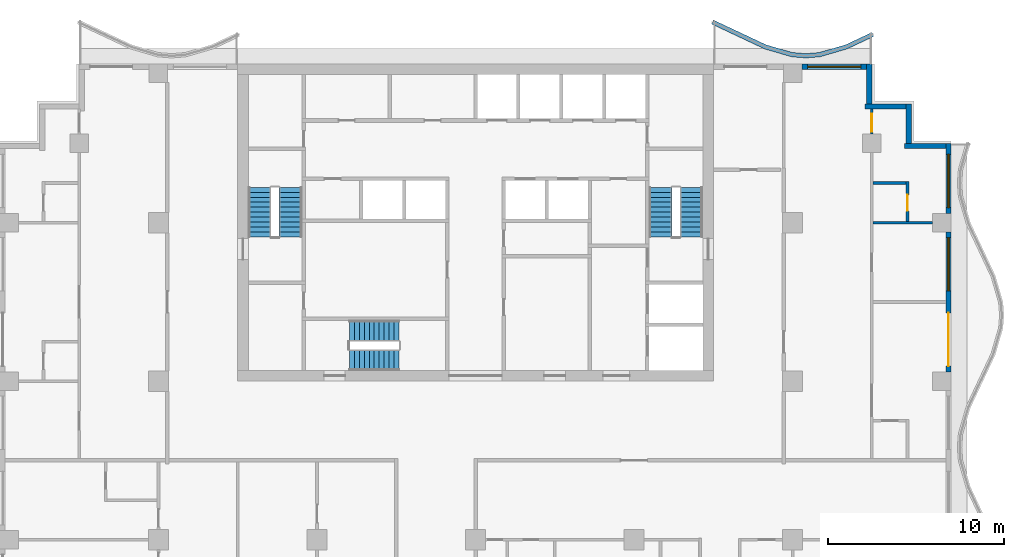
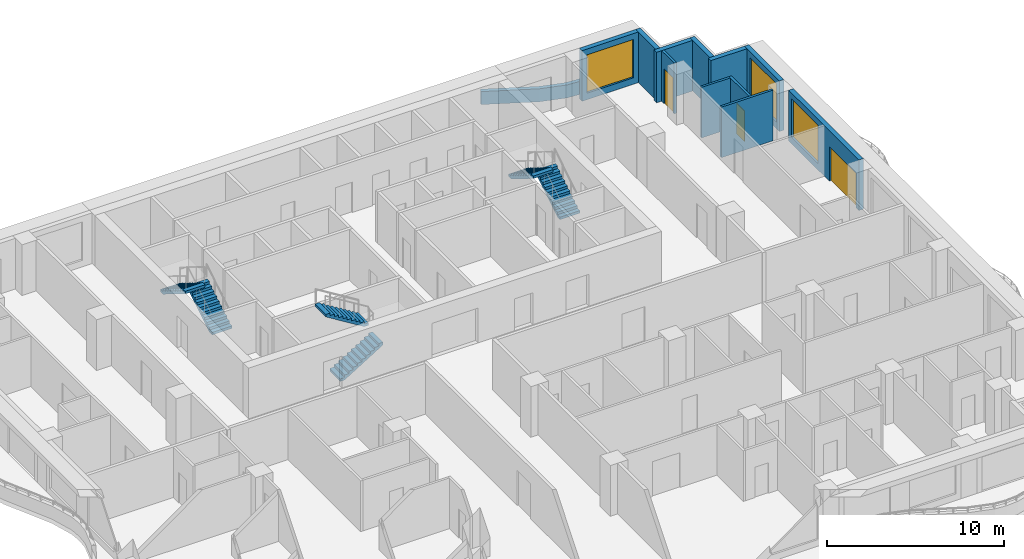
# One storey, part 7 of 11: 12 walls, 6 stair flights, 3 doors, 3 windows, 6 openings, 3 elements without a shape of their own.
"""IFC4 building model written with IfcOpenShell, lengths in metres."""

from ifc_helpers import new_model, si_unit, direction, frame, frame_2d, origin, place, context, subcontext, project, spatial, polyline, rectangle, outline, extrude, material, layer, layer_set, type_object, element, fill, aggregate, save


model = new_model("IFC4")

# Units and contexts
model_context = context("Model", 3, precision=1e-05, world=origin(), true_north=direction((0.0, 1.0)))
body_context = subcontext(model_context, "Body", "Model", "MODEL_VIEW")
ifc_project = project(units=[si_unit("LENGTHUNIT", "METRE"), si_unit("AREAUNIT", "SQUARE_METRE"), si_unit("VOLUMEUNIT", "CUBIC_METRE"), si_unit("PLANEANGLEUNIT", "RADIAN"), si_unit("MASSUNIT", "GRAM", prefix="KILO")], contexts=[model_context])

# Site, building, storey
site_placement = place(None, origin())
site = spatial("IfcSite", under=ifc_project, at=site_placement, CompositionType="ELEMENT")
building_placement = place(site_placement, origin())
building = spatial("IfcBuilding", under=site, at=building_placement, Name="Orbiselva Terraces", CompositionType="ELEMENT")
storey_placement = place(building_placement, frame((0.0, 0.0, 195.8)))
storey = spatial("IfcBuildingStorey", under=building, at=storey_placement, Name="L49", CompositionType="ELEMENT", Elevation=195.8)

# Wall
ifc_material_1 = material(Name="Concrete C40/50", Category="concrete")
ifc_layer_1 = layer(ifc_material_1, 0.25)
ifc_layer_set_1 = layer_set([ifc_layer_1], Name="Concrete C40/50")
wall_type_1 = type_object("IfcWallType", Name="ENV-PLANTER-250x900", PredefinedType="USERDEFINED", material=ifc_layer_set_1)
wall_1_placement = place(storey_placement, origin())
element("IfcWall", 1, at=wall_1_placement, inside=storey, type_object=wall_type_1, Name="Balcony planter L49 NE", ObjectType="PLANTER", PredefinedType="USERDEFINED", context=body_context, shape_type="SweptSolid", body=[
    extrude(outline(polyline([(22.5, 24.3), (21.0, 23.594658), (19.5, 23.158732), (18.75, 23.1), (18.0, 23.158732), (16.5, 23.594658), (15.0, 24.3), (13.5, 25.005342), (13.393617, 24.779106), (14.893617, 24.073764), (16.411382, 23.360069), (17.954886, 22.911499), (18.75, 22.849235), (19.545114, 22.911499), (21.088618, 23.360069), (22.606383, 24.073764), (22.5, 24.3)])), origin(), (0.0, 0.0, 1.0), 0.9),
])

# Wall, openings, door, window
ifc_material_2 = material(Name="Terracotta cladding on masonry backing", Category="masonry")
ifc_layer_2 = layer(ifc_material_2, 0.3)
ifc_layer_set_2 = layer_set([ifc_layer_2], Name="Terracotta cladding on masonry backing")
wall_type_2 = type_object("IfcWallType", Name="ENV-WALL-TERRACOTTA-300", PredefinedType="SOLIDWALL", material=ifc_layer_set_2)
wall_2_placement = place(storey_placement, frame((26.85, 12.975, 0.0), z_axis=(0.0, 0.0, 1.0), x_axis=(0.0, -1.0, 0.0)))
wall_2 = element("IfcWall", 2, at=wall_2_placement, inside=storey, type_object=wall_type_2, Name="Facade wall L49 E", PredefinedType="SOLIDWALL", context=body_context, shape_type="SweptSolid", body=[
    extrude(rectangle(XDim=7.95, YDim=0.3, at=frame_2d((3.975, 0.0))), origin(), (0.0, 0.0, 1.0), 3.5),
])
opening_1_placement = place(wall_2_placement, frame((4.6, 0.0, 0.0)))
opening_1 = element("IfcOpeningElement", 3, at=opening_1_placement, cuts=wall_2, Name="Opening Z4-B-E05", PredefinedType="OPENING", context=body_context, shape_type="SweptSolid", body=[
    extrude(rectangle(XDim=3.025, YDim=2.4, at=frame_2d((1.5125, 1.2))), frame((0.0, 0.16, 0.0), z_axis=(0.0, -1.0, 0.0), x_axis=(1.0, 0.0, 0.0)), (0.0, 0.0, 1.0), 0.32),
])
opening_2_placement = place(wall_2_placement, frame((0.325, 0.0, 0.45)))
opening_2 = element("IfcOpeningElement", 4, at=opening_2_placement, cuts=wall_2, Name="Opening WN14", PredefinedType="OPENING", context=body_context, shape_type="SweptSolid", body=[
    extrude(rectangle(XDim=3.025, YDim=2.65, at=frame_2d((1.5125, 1.325))), frame((0.0, 0.16, 0.0), z_axis=(0.0, -1.0, 0.0), x_axis=(1.0, 0.0, 0.0)), (0.0, 0.0, 1.0), 0.32),
])
ifc_material_3 = material(Name="Clear low-e glazing in aluminium frame", Category="aluminium")
door_type_1 = type_object("IfcDoorType", Name="BALCONY DOOR 3025 X 2400", OperationType="DOUBLE_DOOR_SLIDING", PredefinedType="DOOR", material=ifc_material_3)
door_1_placement = place(opening_1_placement, origin())
door_1 = element("IfcDoor", 5, at=door_1_placement, inside=storey, type_object=door_type_1, Name="Z4-B-E05", OperationType="SINGLE_SWING_LEFT", OverallHeight=2.4, OverallWidth=3.025, PredefinedType="DOOR", context=body_context, shape_type="SweptSolid", body=[
    extrude(rectangle(XDim=3.025, YDim=2.4, at=frame_2d((1.5125, 1.2))), frame((0.0, 0.025, 0.0), z_axis=(0.0, -1.0, 0.0), x_axis=(1.0, 0.0, 0.0)), (0.0, 0.0, 1.0), 0.05),
])
fill(opening_1, door_1)
window_type = type_object("IfcWindowType", Name="WINDOW 3025 X 2650 S450", PartitioningType="TRIPLE_PANEL_VERTICAL", PredefinedType="WINDOW", material=ifc_material_3)
window_1_placement = place(opening_2_placement, origin())
window_1 = element("IfcWindow", 6, at=window_1_placement, inside=storey, type_object=window_type, Name="Window L49 E", OverallHeight=2.65, OverallWidth=3.025, PartitioningType="SINGLE_PANEL", PredefinedType="WINDOW", context=body_context, shape_type="SweptSolid", body=[
    extrude(rectangle(XDim=3.025, YDim=2.65, at=frame_2d((1.5125, 1.325))), frame((0.0, 0.03, 0.0), z_axis=(0.0, -1.0, 0.0), x_axis=(1.0, 0.0, 0.0)), (0.0, 0.0, 1.0), 0.06),
])
fill(opening_2, window_1)

# Wall, opening, window
wall_3_placement = place(storey_placement, frame((26.85, 18.0, 0.0), z_axis=(0.0, 0.0, 1.0), x_axis=(0.0, -1.0, 0.0)))
wall_3 = element("IfcWall", 7, at=wall_3_placement, inside=storey, type_object=wall_type_2, Name="Facade wall L49 E", PredefinedType="SOLIDWALL", context=body_context, shape_type="SweptSolid", body=[
    extrude(rectangle(XDim=3.975, YDim=0.3, at=frame_2d((1.9875, 0.0))), origin(), (0.0, 0.0, 1.0), 3.5),
])
opening_3_placement = place(wall_3_placement, frame((0.625, 0.0, 0.45)))
opening_3 = element("IfcOpeningElement", 8, at=opening_3_placement, cuts=wall_3, Name="Opening WN14", PredefinedType="OPENING", context=body_context, shape_type="SweptSolid", body=[
    extrude(rectangle(XDim=3.025, YDim=2.65, at=frame_2d((1.5125, 1.325))), frame((0.0, 0.16, 0.0), z_axis=(0.0, -1.0, 0.0), x_axis=(1.0, 0.0, 0.0)), (0.0, 0.0, 1.0), 0.32),
])
window_2_placement = place(opening_3_placement, origin())
window_2 = element("IfcWindow", 9, at=window_2_placement, inside=storey, type_object=window_type, Name="Window L49 E", OverallHeight=2.65, OverallWidth=3.025, PartitioningType="SINGLE_PANEL", PredefinedType="WINDOW", context=body_context, shape_type="SweptSolid", body=[
    extrude(rectangle(XDim=3.025, YDim=2.65, at=frame_2d((1.5125, 1.325))), frame((0.0, 0.03, 0.0), z_axis=(0.0, -1.0, 0.0), x_axis=(1.0, 0.0, 0.0)), (0.0, 0.0, 1.0), 0.06),
])
fill(opening_3, window_2)

# Walls
wall_4_placement = place(storey_placement, frame((24.35, 17.85, 0.0), z_axis=(0.0, 0.0, 1.0), x_axis=(1.0, 0.0, 0.0)))
element("IfcWall", 10, at=wall_4_placement, inside=storey, type_object=wall_type_2, Name="Facade wall L49 STEP", PredefinedType="SOLIDWALL", context=body_context, shape_type="SweptSolid", body=[
    extrude(rectangle(XDim=2.35, YDim=0.3, at=frame_2d((1.175, 0.0))), origin(), (0.0, 0.0, 1.0), 3.5),
])
wall_5_placement = place(storey_placement, frame((24.6, 20.25, 0.0), z_axis=(0.0, 0.0, 1.0), x_axis=(0.0, -1.0, 0.0)))
element("IfcWall", 11, at=wall_5_placement, inside=storey, type_object=wall_type_2, Name="Facade wall L49 STEP", PredefinedType="SOLIDWALL", context=body_context, shape_type="SweptSolid", body=[
    extrude(rectangle(XDim=2.25, YDim=0.3, at=frame_2d((1.125, 0.0))), origin(), (0.0, 0.0, 1.0), 3.5),
])
wall_6_placement = place(storey_placement, frame((22.1, 20.1, 0.0), z_axis=(0.0, 0.0, 1.0), x_axis=(1.0, 0.0, 0.0)))
element("IfcWall", 12, at=wall_6_placement, inside=storey, type_object=wall_type_2, Name="Facade wall L49 STEP", PredefinedType="SOLIDWALL", context=body_context, shape_type="SweptSolid", body=[
    extrude(rectangle(XDim=2.35, YDim=0.3, at=frame_2d((1.175, 0.0))), origin(), (0.0, 0.0, 1.0), 3.5),
])
wall_7_placement = place(storey_placement, frame((22.35, 22.5, 0.0), z_axis=(0.0, 0.0, 1.0), x_axis=(0.0, -1.0, 0.0)))
element("IfcWall", 13, at=wall_7_placement, inside=storey, type_object=wall_type_2, Name="Facade wall L49 STEP", PredefinedType="SOLIDWALL", context=body_context, shape_type="SweptSolid", body=[
    extrude(rectangle(XDim=2.25, YDim=0.3, at=frame_2d((1.125, 0.0))), origin(), (0.0, 0.0, 1.0), 3.5),
])

# Wall, opening, window
wall_8_placement = place(storey_placement, frame((18.525, 22.35, 0.0), z_axis=(0.0, 0.0, 1.0), x_axis=(1.0, 0.0, 0.0)))
wall_8 = element("IfcWall", 14, at=wall_8_placement, inside=storey, type_object=wall_type_2, Name="Facade wall L49 NE", PredefinedType="SOLIDWALL", context=body_context, shape_type="SweptSolid", body=[
    extrude(rectangle(XDim=3.675, YDim=0.3, at=frame_2d((1.8375, 0.0))), origin(), (0.0, 0.0, 1.0), 3.5),
])
opening_4_placement = place(wall_8_placement, frame((0.325, 0.0, 0.45)))
opening_4 = element("IfcOpeningElement", 15, at=opening_4_placement, cuts=wall_8, Name="Opening WN14", PredefinedType="OPENING", context=body_context, shape_type="SweptSolid", body=[
    extrude(rectangle(XDim=3.025, YDim=2.65, at=frame_2d((1.5125, 1.325))), frame((0.0, 0.16, 0.0), z_axis=(0.0, -1.0, 0.0), x_axis=(1.0, 0.0, 0.0)), (0.0, 0.0, 1.0), 0.32),
])
window_3_placement = place(opening_4_placement, origin())
window_3 = element("IfcWindow", 16, at=window_3_placement, inside=storey, type_object=window_type, Name="Window L49 NE", OverallHeight=2.65, OverallWidth=3.025, PartitioningType="SINGLE_PANEL", PredefinedType="WINDOW", context=body_context, shape_type="SweptSolid", body=[
    extrude(rectangle(XDim=3.025, YDim=2.65, at=frame_2d((1.5125, 1.325))), frame((0.0, 0.03, 0.0), z_axis=(0.0, -1.0, 0.0), x_axis=(1.0, 0.0, 0.0)), (0.0, 0.0, 1.0), 0.06),
])
fill(opening_4, window_3)

# Walls
ifc_material_4 = material(Name="Plasterboard on steel stud partition", Category="steel")
ifc_layer_3 = layer(ifc_material_4, 0.15)
ifc_layer_set_3 = layer_set([ifc_layer_3], Name="Plasterboard on steel stud partition")
wall_type_3 = type_object("IfcWallType", Name="UNIT-PARTITION-150", PredefinedType="PARTITIONING", material=ifc_layer_set_3)
wall_9_placement = place(storey_placement, frame((22.575, 13.5, 0.0), z_axis=(0.0, 0.0, 1.0), x_axis=(1.0, 0.0, 0.0)))
element("IfcWall", 17, at=wall_9_placement, inside=storey, type_object=wall_type_3, Name="PARTITION L49-038", PredefinedType="PARTITIONING", context=body_context, shape_type="SweptSolid", body=[
    extrude(rectangle(XDim=3.375, YDim=0.15, at=frame_2d((1.6875, 0.0))), origin(), (0.0, 0.0, 1.0), 3.5),
])
wall_10_placement = place(storey_placement, frame((22.575, 15.75, 0.0), z_axis=(0.0, 0.0, 1.0), x_axis=(1.0, 0.0, 0.0)))
element("IfcWall", 18, at=wall_10_placement, inside=storey, type_object=wall_type_3, Name="PARTITION L49-040", PredefinedType="PARTITIONING", context=body_context, shape_type="SweptSolid", body=[
    extrude(rectangle(XDim=1.875, YDim=0.15, at=frame_2d((0.9375, 0.0))), origin(), (0.0, 0.0, 1.0), 3.5),
])

# Wall, opening, door
wall_11_placement = place(storey_placement, frame((22.5, 19.95, 0.0), z_axis=(0.0, 0.0, 1.0), x_axis=(0.0, -1.0, 0.0)))
wall_11 = element("IfcWall", 19, at=wall_11_placement, inside=storey, type_object=wall_type_3, Name="PARTITION L49-085", PredefinedType="PARTITIONING", context=body_context, shape_type="SweptSolid", body=[
    extrude(rectangle(XDim=1.425, YDim=0.15, at=frame_2d((0.7125, 0.0))), origin(), (0.0, 0.0, 1.0), 3.5),
])
opening_5_placement = place(wall_11_placement, frame((0.275, 0.0, 0.0)))
opening_5 = element("IfcOpeningElement", 20, at=opening_5_placement, cuts=wall_11, Name="Opening Z4-B-12", PredefinedType="OPENING", context=body_context, shape_type="SweptSolid", body=[
    extrude(rectangle(XDim=1.0, YDim=2.4, at=frame_2d((0.5, 1.2))), frame((0.0, 0.085, 0.0), z_axis=(0.0, -1.0, 0.0), x_axis=(1.0, 0.0, 0.0)), (0.0, 0.0, 1.0), 0.17),
])
ifc_material_5 = material(Name="Painted timber door leaf", Category="wood")
door_type_2 = type_object("IfcDoorType", Name="ROOM DOOR 1000", OperationType="NOTDEFINED", PredefinedType="DOOR", material=ifc_material_5)
door_2_placement = place(opening_5_placement, origin())
door_2 = element("IfcDoor", 21, at=door_2_placement, inside=storey, type_object=door_type_2, Name="Z4-B-12", OperationType="SINGLE_SWING_RIGHT", OverallHeight=2.4, OverallWidth=1.0, PredefinedType="DOOR", context=body_context, shape_type="SweptSolid", body=[
    extrude(rectangle(XDim=1.0, YDim=2.4, at=frame_2d((0.5, 1.2))), frame((0.0, 0.025, 0.0), z_axis=(0.0, -1.0, 0.0), x_axis=(1.0, 0.0, 0.0)), (0.0, 0.0, 1.0), 0.05),
])
fill(opening_5, door_2)

wall_12_placement = place(storey_placement, frame((24.525, 13.575, 0.0), z_axis=(0.0, 0.0, 1.0), x_axis=(0.0, 1.0, 0.0)))
wall_12 = element("IfcWall", 22, at=wall_12_placement, inside=storey, type_object=wall_type_3, Name="PARTITION L49-088", PredefinedType="PARTITIONING", context=body_context, shape_type="SweptSolid", body=[
    extrude(rectangle(XDim=2.25, YDim=0.15, at=frame_2d((1.125, 0.0))), origin(), (0.0, 0.0, 1.0), 3.5),
])
opening_6_placement = place(wall_12_placement, frame((0.6, 0.0, 0.0)))
opening_6 = element("IfcOpeningElement", 23, at=opening_6_placement, cuts=wall_12, Name="Opening Z4-B-13", PredefinedType="OPENING", context=body_context, shape_type="SweptSolid", body=[
    extrude(rectangle(XDim=0.9, YDim=2.1, at=frame_2d((0.45, 1.05))), frame((0.0, 0.085, 0.0), z_axis=(0.0, -1.0, 0.0), x_axis=(1.0, 0.0, 0.0)), (0.0, 0.0, 1.0), 0.17),
])
door_type_3 = type_object("IfcDoorType", Name="BATH DOOR 900", OperationType="NOTDEFINED", PredefinedType="DOOR", material=ifc_material_5)
door_3_placement = place(opening_6_placement, origin())
door_3 = element("IfcDoor", 24, at=door_3_placement, inside=storey, type_object=door_type_3, Name="Z4-B-13", OperationType="SINGLE_SWING_LEFT", OverallHeight=2.1, OverallWidth=0.9, PredefinedType="DOOR", context=body_context, shape_type="SweptSolid", body=[
    extrude(rectangle(XDim=0.9, YDim=2.1, at=frame_2d((0.45, 1.05))), frame((0.0, 0.025, 0.0), z_axis=(0.0, -1.0, 0.0), x_axis=(1.0, 0.0, 0.0)), (0.0, 0.0, 1.0), 0.05),
])
fill(opening_6, door_3)

# Stair, stair flights
stair_type_1 = type_object("IfcStairType", Name="CORE-STAIR-1200", PredefinedType="HALF_TURN_STAIR", material=ifc_material_1)
stair_1_placement = place(storey_placement, origin())
stair_1 = element("IfcStair", 25, at=stair_1_placement, inside=storey, type_object=stair_type_1, Name="L49 Exit Stair S3", PredefinedType="HALF_TURN_STAIR")
stair_flight_type_1 = type_object("IfcStairFlightType", Name="CORE-STAIR-FLIGHT-1200", PredefinedType="STRAIGHT", material=ifc_material_1)
stair_flight_1_placement = place(storey_placement, frame((-7.15, 5.7, 0.0), z_axis=(0.0, 0.0, 1.0), x_axis=(1.0, 0.0, 0.0)))
stair_flight_1 = element("IfcStairFlight", 26, at=stair_flight_1_placement, type_object=stair_flight_type_1, Name="S3 flight 1", NumberOfRisers=11, NumberOfTreads=10, PredefinedType="STRAIGHT", RiserHeight=0.172727273, TreadLength=0.28, context=body_context, shape_type="SweptSolid", body=[
    extrude(outline(polyline([(0.0, 0.0), (0.0, 0.172727), (0.28, 0.172727), (0.28, 0.345455), (0.56, 0.345455), (0.56, 0.518182), (0.84, 0.518182), (0.84, 0.690909), (1.12, 0.690909), (1.12, 0.863636), (1.4, 0.863636), (1.4, 1.036364), (1.68, 1.036364), (1.68, 1.209091), (1.96, 1.209091), (1.96, 1.381818), (2.24, 1.381818), (2.24, 1.554545), (2.52, 1.554545), (2.52, 1.727273), (2.8, 1.727273), (2.8, 1.9), (2.8, 1.551028), (0.285702, 0.0), (0.0, 0.0)])), frame((0.0, 0.6, 0.0), z_axis=(0.0, -1.0, 0.0), x_axis=(1.0, 0.0, 0.0)), (0.0, 0.0, 1.0), 1.2),
])
stair_flight_2_placement = place(storey_placement, frame((-4.35, 7.35, 1.9), z_axis=(0.0, 0.0, 1.0), x_axis=(-1.0, 0.0, 0.0)))
stair_flight_2 = element("IfcStairFlight", 27, at=stair_flight_2_placement, type_object=stair_flight_type_1, Name="S3 flight 2", NumberOfRisers=11, NumberOfTreads=10, PredefinedType="STRAIGHT", RiserHeight=0.172727273, TreadLength=0.28, context=body_context, shape_type="SweptSolid", body=[
    extrude(outline(polyline([(0.0, 0.0), (0.0, 0.172727), (0.28, 0.172727), (0.28, 0.345455), (0.56, 0.345455), (0.56, 0.518182), (0.84, 0.518182), (0.84, 0.690909), (1.12, 0.690909), (1.12, 0.863636), (1.4, 0.863636), (1.4, 1.036364), (1.68, 1.036364), (1.68, 1.209091), (1.96, 1.209091), (1.96, 1.381818), (2.24, 1.381818), (2.24, 1.554545), (2.52, 1.554545), (2.52, 1.727273), (2.8, 1.727273), (2.8, 1.9), (2.8, 1.551028), (0.285702, 0.0), (0.0, 0.0)])), frame((0.0, 0.6, 0.0), z_axis=(0.0, -1.0, 0.0), x_axis=(1.0, 0.0, 0.0)), (0.0, 0.0, 1.0), 1.2),
])
aggregate(stair_1, [stair_flight_1, stair_flight_2])

stair_type_2 = type_object("IfcStairType", Name="CORE-STAIR-1300", PredefinedType="HALF_TURN_STAIR", material=ifc_material_1)
stair_2_placement = place(storey_placement, origin())
stair_2 = element("IfcStair", 28, at=stair_2_placement, inside=storey, type_object=stair_type_2, Name="L49 Exit Stair S1", PredefinedType="HALF_TURN_STAIR")
stair_flight_type_2 = type_object("IfcStairFlightType", Name="CORE-STAIR-FLIGHT-1300", PredefinedType="STRAIGHT", material=ifc_material_1)
stair_flight_3_placement = place(storey_placement, frame((-10.5, 12.7, 0.0), z_axis=(0.0, 0.0, 1.0), x_axis=(0.0, 1.0, 0.0)))
stair_flight_3 = element("IfcStairFlight", 29, at=stair_flight_3_placement, type_object=stair_flight_type_2, Name="S1 flight 1", NumberOfRisers=11, NumberOfTreads=10, PredefinedType="STRAIGHT", RiserHeight=0.172727273, TreadLength=0.28, context=body_context, shape_type="SweptSolid", body=[
    extrude(outline(polyline([(0.0, 0.0), (0.0, 0.172727), (0.28, 0.172727), (0.28, 0.345455), (0.56, 0.345455), (0.56, 0.518182), (0.84, 0.518182), (0.84, 0.690909), (1.12, 0.690909), (1.12, 0.863636), (1.4, 0.863636), (1.4, 1.036364), (1.68, 1.036364), (1.68, 1.209091), (1.96, 1.209091), (1.96, 1.381818), (2.24, 1.381818), (2.24, 1.554545), (2.52, 1.554545), (2.52, 1.727273), (2.8, 1.727273), (2.8, 1.9), (2.8, 1.551028), (0.285702, 0.0), (0.0, 0.0)])), frame((0.0, 0.65, 0.0), z_axis=(0.0, -1.0, 0.0), x_axis=(1.0, 0.0, 0.0)), (0.0, 0.0, 1.0), 1.3),
])
stair_flight_4_placement = place(storey_placement, frame((-12.25, 15.5, 1.9), z_axis=(0.0, 0.0, 1.0), x_axis=(0.0, -1.0, 0.0)))
stair_flight_4 = element("IfcStairFlight", 30, at=stair_flight_4_placement, type_object=stair_flight_type_2, Name="S1 flight 2", NumberOfRisers=11, NumberOfTreads=10, PredefinedType="STRAIGHT", RiserHeight=0.172727273, TreadLength=0.28, context=body_context, shape_type="SweptSolid", body=[
    extrude(outline(polyline([(0.0, 0.0), (0.0, 0.172727), (0.28, 0.172727), (0.28, 0.345455), (0.56, 0.345455), (0.56, 0.518182), (0.84, 0.518182), (0.84, 0.690909), (1.12, 0.690909), (1.12, 0.863636), (1.4, 0.863636), (1.4, 1.036364), (1.68, 1.036364), (1.68, 1.209091), (1.96, 1.209091), (1.96, 1.381818), (2.24, 1.381818), (2.24, 1.554545), (2.52, 1.554545), (2.52, 1.727273), (2.8, 1.727273), (2.8, 1.9), (2.8, 1.551028), (0.285702, 0.0), (0.0, 0.0)])), frame((0.0, 0.65, 0.0), z_axis=(0.0, -1.0, 0.0), x_axis=(1.0, 0.0, 0.0)), (0.0, 0.0, 1.0), 1.3),
])
aggregate(stair_2, [stair_flight_3, stair_flight_4])

stair_3_placement = place(storey_placement, origin())
stair_3 = element("IfcStair", 31, at=stair_3_placement, inside=storey, type_object=stair_type_2, Name="L49 Exit Stair S2", PredefinedType="HALF_TURN_STAIR")
stair_flight_5_placement = place(storey_placement, frame((12.25, 12.7, 0.0), z_axis=(0.0, 0.0, 1.0), x_axis=(0.0, 1.0, 0.0)))
stair_flight_5 = element("IfcStairFlight", 32, at=stair_flight_5_placement, type_object=stair_flight_type_2, Name="S2 flight 1", NumberOfRisers=11, NumberOfTreads=10, PredefinedType="STRAIGHT", RiserHeight=0.172727273, TreadLength=0.28, context=body_context, shape_type="SweptSolid", body=[
    extrude(outline(polyline([(0.0, 0.0), (0.0, 0.172727), (0.28, 0.172727), (0.28, 0.345455), (0.56, 0.345455), (0.56, 0.518182), (0.84, 0.518182), (0.84, 0.690909), (1.12, 0.690909), (1.12, 0.863636), (1.4, 0.863636), (1.4, 1.036364), (1.68, 1.036364), (1.68, 1.209091), (1.96, 1.209091), (1.96, 1.381818), (2.24, 1.381818), (2.24, 1.554545), (2.52, 1.554545), (2.52, 1.727273), (2.8, 1.727273), (2.8, 1.9), (2.8, 1.551028), (0.285702, 0.0), (0.0, 0.0)])), frame((0.0, 0.65, 0.0), z_axis=(0.0, -1.0, 0.0), x_axis=(1.0, 0.0, 0.0)), (0.0, 0.0, 1.0), 1.3),
])
stair_flight_6_placement = place(storey_placement, frame((10.5, 15.5, 1.9), z_axis=(0.0, 0.0, 1.0), x_axis=(0.0, -1.0, 0.0)))
stair_flight_6 = element("IfcStairFlight", 33, at=stair_flight_6_placement, type_object=stair_flight_type_2, Name="S2 flight 2", NumberOfRisers=11, NumberOfTreads=10, PredefinedType="STRAIGHT", RiserHeight=0.172727273, TreadLength=0.28, context=body_context, shape_type="SweptSolid", body=[
    extrude(outline(polyline([(0.0, 0.0), (0.0, 0.172727), (0.28, 0.172727), (0.28, 0.345455), (0.56, 0.345455), (0.56, 0.518182), (0.84, 0.518182), (0.84, 0.690909), (1.12, 0.690909), (1.12, 0.863636), (1.4, 0.863636), (1.4, 1.036364), (1.68, 1.036364), (1.68, 1.209091), (1.96, 1.209091), (1.96, 1.381818), (2.24, 1.381818), (2.24, 1.554545), (2.52, 1.554545), (2.52, 1.727273), (2.8, 1.727273), (2.8, 1.9), (2.8, 1.551028), (0.285702, 0.0), (0.0, 0.0)])), frame((0.0, 0.65, 0.0), z_axis=(0.0, -1.0, 0.0), x_axis=(1.0, 0.0, 0.0)), (0.0, 0.0, 1.0), 1.3),
])
aggregate(stair_3, [stair_flight_5, stair_flight_6])

save(model, "model.ifc")
